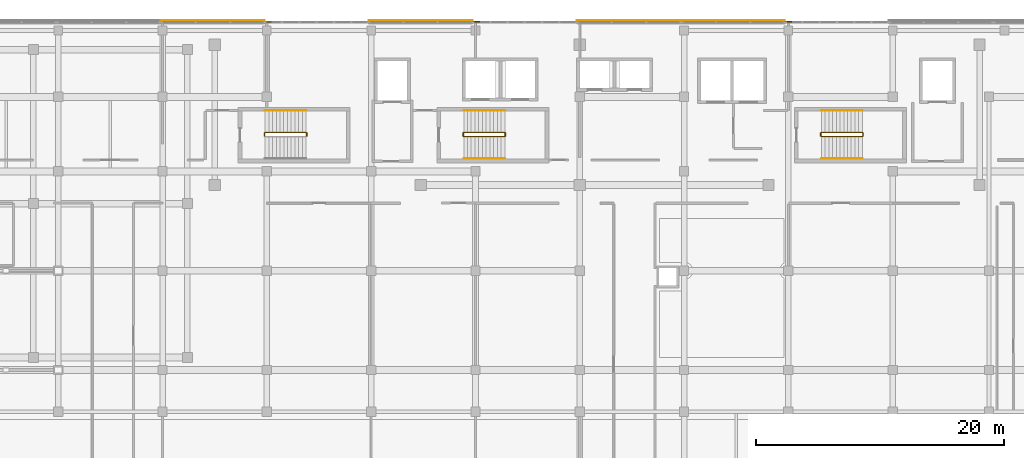
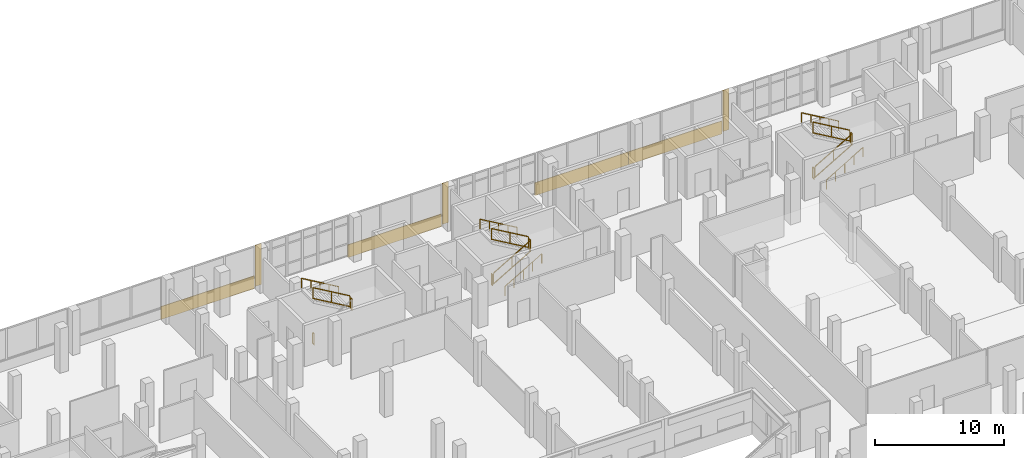
# One storey, part 182 of 184: 16 railings, 7 coverings.
"""IFC4 building model written with IfcOpenShell, lengths in metres."""

from ifc_helpers import new_model, si_unit, direction, frame, origin, origin_2d, place, context, subcontext, project, spatial, rectangle, circle, extrude, material, layer, layer_set, type_object, element, save


model = new_model("IFC4")

# Units and contexts
model_context = context("Model", 3, precision=1e-05, world=origin(), true_north=direction((0.0, 1.0)))
body_context = subcontext(model_context, "Body", "Model", "MODEL_VIEW")
ifc_project = project(units=[si_unit("LENGTHUNIT", "METRE"), si_unit("AREAUNIT", "SQUARE_METRE"), si_unit("VOLUMEUNIT", "CUBIC_METRE"), si_unit("PLANEANGLEUNIT", "RADIAN"), si_unit("MASSUNIT", "GRAM", prefix="KILO")], contexts=[model_context])

# Site, building, storey
site_placement = place(None, origin())
site = spatial("IfcSite", under=ifc_project, at=site_placement, CompositionType="ELEMENT")
building_placement = place(site_placement, origin())
building = spatial("IfcBuilding", under=site, at=building_placement, Name="Selatvlak General Hospital", CompositionType="ELEMENT")
storey_placement = place(building_placement, frame((0.0, 0.0, 15.0)))
storey = spatial("IfcBuildingStorey", under=building, at=storey_placement, Name="L03", CompositionType="ELEMENT", Elevation=15.0)

# Coverings
ifc_material_1 = material(Name="White Bauhaus fair-faced cladding panel")
ifc_layer = layer(ifc_material_1, 0.054931640625, Name="White Bauhaus fair-faced cladding panel")
ifc_layer_set = layer_set([ifc_layer], Name="White Bauhaus fair-faced cladding panel")
covering_type = type_object("IfcCoveringType", Name="COV-WHT1", PredefinedType="CLADDING", material=ifc_layer_set)
covering_1_placement = place(storey_placement, frame((85.6298828125, 120.1640625, -0.27978515625), z_axis=(0.0, 0.0, 1.0), x_axis=(1.0, 0.0, 0.0)))
element("IfcCovering", 1, at=covering_1_placement, inside=storey, type_object=covering_type, Name="L03 Bauhaus horizontal white spandrel band 0229", PredefinedType="CLADDING", context=body_context, shape_type="SweptSolid", body=[
    extrude(rectangle(XDim=8.3798828125, YDim=0.054931640625, at=origin_2d()), origin(), (0.0, 0.0, 1.0), 1.219970703125),
])
covering_2_placement = place(storey_placement, frame((90.094970703125, 120.0439453125, -0.00048828125), z_axis=(0.0, 0.0, 1.0), x_axis=(1.0, 0.0, 0.0)))
element("IfcCovering", 2, at=covering_2_placement, inside=storey, type_object=covering_type, Name="L03 Bauhaus vertical core pilaster 0230", PredefinedType="CLADDING", context=body_context, shape_type="SweptSolid", body=[
    extrude(rectangle(XDim=0.550048828125, YDim=0.054931640625, at=origin_2d()), origin(), (0.0, 0.0, 1.0), 3.89501953125),
])
covering_3_placement = place(storey_placement, frame((102.388916015625, 120.1640625, -0.27978515625), z_axis=(0.0, 0.0, 1.0), x_axis=(0.999999992537, 0.000122173047, 0.0)))
element("IfcCovering", 3, at=covering_3_placement, inside=storey, type_object=covering_type, Name="L03 Bauhaus horizontal white spandrel band 0231", PredefinedType="CLADDING", context=body_context, shape_type="SweptSolid", body=[
    extrude(rectangle(XDim=8.37890625, YDim=0.054931640625, at=origin_2d()), origin(), (0.0, 0.0, 1.0), 1.219970703125),
])
covering_4_placement = place(storey_placement, frame((106.85400390625, 120.044921875, -0.00048828125), z_axis=(0.0, 0.0, 1.0), x_axis=(1.0, 0.0, 0.0)))
element("IfcCovering", 4, at=covering_4_placement, inside=storey, type_object=covering_type, Name="L03 Bauhaus vertical core pilaster 0232", PredefinedType="CLADDING", context=body_context, shape_type="SweptSolid", body=[
    extrude(rectangle(XDim=0.550048828125, YDim=0.054931640625, at=origin_2d()), origin(), (0.0, 0.0, 1.0), 3.89501953125),
])
for number, where, z_axis, x_axis, name in (
    (5, (119.14892578125, 120.1650390625, -0.27978515625), (0.0, 0.0, 1.0), (1.0, 0.0, 0.0), "L03 Bauhaus horizontal white spandrel band 0233"),
    (6, (127.529052734375, 120.1650390625, -0.27978515625), (0.0, 0.0, 1.0), (1.0, 0.0, 0.0), "L03 Bauhaus horizontal white spandrel band 0234"),
):
    element("IfcCovering", number, at=place(storey_placement, frame(where, z_axis=z_axis, x_axis=x_axis)), inside=storey, type_object=covering_type, Name=name, PredefinedType="CLADDING", context=body_context, shape_type="SweptSolid", body=[
        extrude(rectangle(XDim=8.3798828125, YDim=0.054931640625, at=origin_2d()), origin(), (0.0, 0.0, 1.0), 1.219970703125),
    ])
covering_5_placement = place(storey_placement, frame((131.993896484375, 120.044921875, -0.00048828125), z_axis=(0.0, 0.0, 1.0), x_axis=(1.0, 0.0, 0.0)))
element("IfcCovering", 7, at=covering_5_placement, inside=storey, type_object=covering_type, Name="L03 Bauhaus vertical core pilaster 0235", PredefinedType="CLADDING", context=body_context, shape_type="SweptSolid", body=[
    extrude(rectangle(XDim=0.550048828125, YDim=0.054931640625, at=origin_2d()), origin(), (0.0, 0.0, 1.0), 3.89501953125),
])

# Railings
ifc_material_2 = material(Name="Stainless steel 316 stair guard", Category="steel")
railing_type_1 = type_object("IfcRailingType", Name="RAIL-STG", PredefinedType="GUARDRAIL", material=ifc_material_2)
railing_1_placement = place(storey_placement, frame((93.2099609375, 110.860107421875, 2.10009765625)))
element("IfcRailing", 8, at=railing_1_placement, inside=storey, type_object=railing_type_1, Name="L03 ST-02 stair guard 2", PredefinedType="GUARDRAIL", context=body_context, shape_type="SweptSolid", body=[
    extrude(rectangle(XDim=0.068115234375, YDim=0.068115234375, at=origin_2d()), frame((0.0, 0.0029296875, 1.06591796875), z_axis=(0.0, 1.0, 0.0), x_axis=(-1.0, 0.0, 0.0)), (0.0, 0.0, 1.0), 0.214111328125),
    extrude(rectangle(XDim=0.068115234375, YDim=0.068115234375, at=origin_2d()), frame((0.0, 0.0029296875, 0.049072265625), z_axis=(0.0, 1.0, 0.0), x_axis=(-1.0, 0.0, 0.0)), (0.0, 0.0, 1.0), 0.214111328125),
    extrude(rectangle(XDim=0.055908203125, YDim=0.055908203125, at=origin_2d()), origin(), (0.0, 0.0, 1.0), 1.029052734375),
    extrude(rectangle(XDim=0.055908203125, YDim=0.055908203125, at=origin_2d()), frame((0.0, 0.219970703125, 0.0)), (0.0, 0.0, 1.0), 1.029052734375),
])
railing_2_placement = place(storey_placement, frame((93.159912109375, 111.1298828125, 2.27490234375)))
element("IfcRailing", 9, at=railing_2_placement, inside=storey, type_object=railing_type_1, Name="L03 ST-02 stair guard 3", PredefinedType="GUARDRAIL", context=body_context, shape_type="SweptSolid", body=[
    extrude(rectangle(XDim=0.068115234375, YDim=0.068115234375, at=origin_2d()), frame((-0.00244140625, 0.0, 1.067626953125), z_axis=(-0.863760357493, 0.0, 0.503902812876), x_axis=(0.0, -1.0, 0.0)), (0.0, 0.0, 1.0), 3.814453125),
    extrude(rectangle(XDim=0.068115234375, YDim=0.068115234375, at=origin_2d()), frame((-0.00244140625, 0.0, 0.050537109375), z_axis=(-0.863760357493, 0.0, 0.503902812876), x_axis=(0.0, -1.0, 0.0)), (0.0, 0.0, 1.0), 3.814453125),
    extrude(rectangle(XDim=0.055908203125, YDim=0.055908203125, at=origin_2d()), origin(), (0.0, 0.0, 1.0), 1.029052734375),
    extrude(rectangle(XDim=0.055908203125, YDim=0.055908203125, at=origin_2d()), frame((-1.64990234375, 0.0, 0.96240234375)), (0.0, 0.0, 1.0), 1.029052734375),
    extrude(rectangle(XDim=0.055908203125, YDim=0.055908203125, at=origin_2d()), frame((-3.2998046875, 0.0, 1.925048828125)), (0.0, 0.0, 1.0), 1.029052734375),
])
railing_3_placement = place(storey_placement, frame((89.81005859375, 110.860107421875, 0.0)))
element("IfcRailing", 10, at=railing_3_placement, inside=storey, type_object=railing_type_1, Name="L03 ST-02 stair guard 4", PredefinedType="GUARDRAIL", context=body_context, shape_type="SweptSolid", body=[
    extrude(rectangle(XDim=0.068115234375, YDim=0.068115234375, at=origin_2d()), frame((0.0, 0.0029296875, 1.06591796875), z_axis=(0.0, 1.0, 0.0), x_axis=(-1.0, 0.0, 0.0)), (0.0, 0.0, 1.0), 0.214111328125),
    extrude(rectangle(XDim=0.068115234375, YDim=0.068115234375, at=origin_2d()), frame((0.0, 0.0029296875, 0.049072265625), z_axis=(0.0, 1.0, 0.0), x_axis=(-1.0, 0.0, 0.0)), (0.0, 0.0, 1.0), 0.214111328125),
    extrude(rectangle(XDim=0.055908203125, YDim=0.055908203125, at=origin_2d()), origin(), (0.0, 0.0, 1.0), 1.029052734375),
    extrude(rectangle(XDim=0.055908203125, YDim=0.055908203125, at=origin_2d()), frame((0.0, 0.219970703125, 0.0)), (0.0, 0.0, 1.0), 1.029052734375),
])
railing_4_placement = place(storey_placement, frame((105.860107421875, 110.81005859375, 0.175048828125)))
element("IfcRailing", 11, at=railing_4_placement, inside=storey, type_object=railing_type_1, Name="L03 ST-03 stair guard 1", PredefinedType="GUARDRAIL", context=body_context, shape_type="SweptSolid", body=[
    extrude(rectangle(XDim=0.068115234375, YDim=0.068115234375, at=origin_2d()), frame((0.00244140625, 0.0, 1.067626953125), z_axis=(0.863760357493, 0.0, 0.503902812876), x_axis=(0.0, 1.0, 0.0)), (0.0, 0.0, 1.0), 3.814453125),
    extrude(rectangle(XDim=0.068115234375, YDim=0.068115234375, at=origin_2d()), frame((0.00244140625, 0.0, 0.050537109375), z_axis=(0.863760357493, 0.0, 0.503902812876), x_axis=(0.0, 1.0, 0.0)), (0.0, 0.0, 1.0), 3.814453125),
    extrude(rectangle(XDim=0.055908203125, YDim=0.055908203125, at=origin_2d()), origin(), (0.0, 0.0, 1.0), 1.029052734375),
    extrude(rectangle(XDim=0.055908203125, YDim=0.055908203125, at=origin_2d()), frame((1.64990234375, 0.0, 0.96240234375)), (0.0, 0.0, 1.0), 1.029052734375),
    extrude(rectangle(XDim=0.055908203125, YDim=0.055908203125, at=origin_2d()), frame((3.2998046875, 0.0, 1.925048828125)), (0.0, 0.0, 1.0), 1.029052734375),
])
railing_5_placement = place(storey_placement, frame((109.2099609375, 110.860107421875, 2.10009765625)))
element("IfcRailing", 12, at=railing_5_placement, inside=storey, type_object=railing_type_1, Name="L03 ST-03 stair guard 2", PredefinedType="GUARDRAIL", context=body_context, shape_type="SweptSolid", body=[
    extrude(rectangle(XDim=0.068115234375, YDim=0.068115234375, at=origin_2d()), frame((0.0, 0.0029296875, 1.06591796875), z_axis=(0.0, 1.0, 0.0), x_axis=(-1.0, 0.0, 0.0)), (0.0, 0.0, 1.0), 0.214111328125),
    extrude(rectangle(XDim=0.068115234375, YDim=0.068115234375, at=origin_2d()), frame((0.0, 0.0029296875, 0.049072265625), z_axis=(0.0, 1.0, 0.0), x_axis=(-1.0, 0.0, 0.0)), (0.0, 0.0, 1.0), 0.214111328125),
    extrude(rectangle(XDim=0.055908203125, YDim=0.055908203125, at=origin_2d()), origin(), (0.0, 0.0, 1.0), 1.029052734375),
    extrude(rectangle(XDim=0.055908203125, YDim=0.055908203125, at=origin_2d()), frame((0.0, 0.219970703125, 0.0)), (0.0, 0.0, 1.0), 1.029052734375),
])
railing_6_placement = place(storey_placement, frame((109.159912109375, 111.1298828125, 2.27490234375)))
element("IfcRailing", 13, at=railing_6_placement, inside=storey, type_object=railing_type_1, Name="L03 ST-03 stair guard 3", PredefinedType="GUARDRAIL", context=body_context, shape_type="SweptSolid", body=[
    extrude(rectangle(XDim=0.068115234375, YDim=0.068115234375, at=origin_2d()), frame((-0.00244140625, 0.0, 1.067626953125), z_axis=(-0.863760357493, 0.0, 0.503902812876), x_axis=(0.0, -1.0, 0.0)), (0.0, 0.0, 1.0), 3.814453125),
    extrude(rectangle(XDim=0.068115234375, YDim=0.068115234375, at=origin_2d()), frame((-0.00244140625, 0.0, 0.050537109375), z_axis=(-0.863760357493, 0.0, 0.503902812876), x_axis=(0.0, -1.0, 0.0)), (0.0, 0.0, 1.0), 3.814453125),
    extrude(rectangle(XDim=0.055908203125, YDim=0.055908203125, at=origin_2d()), origin(), (0.0, 0.0, 1.0), 1.029052734375),
    extrude(rectangle(XDim=0.055908203125, YDim=0.055908203125, at=origin_2d()), frame((-1.64990234375, 0.0, 0.96240234375)), (0.0, 0.0, 1.0), 1.029052734375),
    extrude(rectangle(XDim=0.055908203125, YDim=0.055908203125, at=origin_2d()), frame((-3.2998046875, 0.0, 1.925048828125)), (0.0, 0.0, 1.0), 1.029052734375),
])
railing_7_placement = place(storey_placement, frame((105.81005859375, 110.860107421875, 0.0)))
element("IfcRailing", 14, at=railing_7_placement, inside=storey, type_object=railing_type_1, Name="L03 ST-03 stair guard 4", PredefinedType="GUARDRAIL", context=body_context, shape_type="SweptSolid", body=[
    extrude(rectangle(XDim=0.068115234375, YDim=0.068115234375, at=origin_2d()), frame((0.0, 0.0029296875, 1.06591796875), z_axis=(0.0, 1.0, 0.0), x_axis=(-1.0, 0.0, 0.0)), (0.0, 0.0, 1.0), 0.214111328125),
    extrude(rectangle(XDim=0.068115234375, YDim=0.068115234375, at=origin_2d()), frame((0.0, 0.0029296875, 0.049072265625), z_axis=(0.0, 1.0, 0.0), x_axis=(-1.0, 0.0, 0.0)), (0.0, 0.0, 1.0), 0.214111328125),
    extrude(rectangle(XDim=0.055908203125, YDim=0.055908203125, at=origin_2d()), origin(), (0.0, 0.0, 1.0), 1.029052734375),
    extrude(rectangle(XDim=0.055908203125, YDim=0.055908203125, at=origin_2d()), frame((0.0, 0.219970703125, 0.0)), (0.0, 0.0, 1.0), 1.029052734375),
])
railing_8_placement = place(storey_placement, frame((134.659912109375, 110.81005859375, 0.175048828125)))
element("IfcRailing", 15, at=railing_8_placement, inside=storey, type_object=railing_type_1, Name="L03 ST-04 stair guard 1", PredefinedType="GUARDRAIL", context=body_context, shape_type="SweptSolid", body=[
    extrude(rectangle(XDim=0.068115234375, YDim=0.068115234375, at=origin_2d()), frame((0.00244140625, 0.0, 1.067626953125), z_axis=(0.863776583165, 0.0, 0.503874998761), x_axis=(0.0, 1.0, 0.0)), (0.0, 0.0, 1.0), 3.814697265625),
    extrude(rectangle(XDim=0.068115234375, YDim=0.068115234375, at=origin_2d()), frame((0.00244140625, 0.0, 0.050537109375), z_axis=(0.863776583165, 0.0, 0.503874998761), x_axis=(0.0, 1.0, 0.0)), (0.0, 0.0, 1.0), 3.814697265625),
    extrude(rectangle(XDim=0.055908203125, YDim=0.055908203125, at=origin_2d()), origin(), (0.0, 0.0, 1.0), 1.029052734375),
    extrude(rectangle(XDim=0.055908203125, YDim=0.055908203125, at=origin_2d()), frame((1.64990234375, 0.0, 0.96240234375)), (0.0, 0.0, 1.0), 1.029052734375),
    extrude(rectangle(XDim=0.055908203125, YDim=0.055908203125, at=origin_2d()), frame((3.300048828125, 0.0, 1.925048828125)), (0.0, 0.0, 1.0), 1.029052734375),
])
railing_9_placement = place(storey_placement, frame((138.010009765625, 110.860107421875, 2.10009765625)))
element("IfcRailing", 16, at=railing_9_placement, inside=storey, type_object=railing_type_1, Name="L03 ST-04 stair guard 2", PredefinedType="GUARDRAIL", context=body_context, shape_type="SweptSolid", body=[
    extrude(rectangle(XDim=0.068115234375, YDim=0.068115234375, at=origin_2d()), frame((0.0, 0.0029296875, 1.06591796875), z_axis=(0.0, 1.0, 0.0), x_axis=(-1.0, 0.0, 0.0)), (0.0, 0.0, 1.0), 0.214111328125),
    extrude(rectangle(XDim=0.068115234375, YDim=0.068115234375, at=origin_2d()), frame((0.0, 0.0029296875, 0.049072265625), z_axis=(0.0, 1.0, 0.0), x_axis=(-1.0, 0.0, 0.0)), (0.0, 0.0, 1.0), 0.214111328125),
    extrude(rectangle(XDim=0.055908203125, YDim=0.055908203125, at=origin_2d()), origin(), (0.0, 0.0, 1.0), 1.029052734375),
    extrude(rectangle(XDim=0.055908203125, YDim=0.055908203125, at=origin_2d()), frame((0.0, 0.219970703125, 0.0)), (0.0, 0.0, 1.0), 1.029052734375),
])
railing_10_placement = place(storey_placement, frame((137.9599609375, 111.1298828125, 2.27490234375)))
element("IfcRailing", 17, at=railing_10_placement, inside=storey, type_object=railing_type_1, Name="L03 ST-04 stair guard 3", PredefinedType="GUARDRAIL", context=body_context, shape_type="SweptSolid", body=[
    extrude(rectangle(XDim=0.068115234375, YDim=0.068115234375, at=origin_2d()), frame((-0.00244140625, 0.0, 1.067626953125), z_axis=(-0.863776583165, 0.0, 0.503874998761), x_axis=(0.0, -1.0, 0.0)), (0.0, 0.0, 1.0), 3.814697265625),
    extrude(rectangle(XDim=0.068115234375, YDim=0.068115234375, at=origin_2d()), frame((-0.00244140625, 0.0, 0.050537109375), z_axis=(-0.863776583165, 0.0, 0.503874998761), x_axis=(0.0, -1.0, 0.0)), (0.0, 0.0, 1.0), 3.814697265625),
    extrude(rectangle(XDim=0.055908203125, YDim=0.055908203125, at=origin_2d()), origin(), (0.0, 0.0, 1.0), 1.029052734375),
    extrude(rectangle(XDim=0.055908203125, YDim=0.055908203125, at=origin_2d()), frame((-1.64990234375, 0.0, 0.96240234375)), (0.0, 0.0, 1.0), 1.029052734375),
    extrude(rectangle(XDim=0.055908203125, YDim=0.055908203125, at=origin_2d()), frame((-3.300048828125, 0.0, 1.925048828125)), (0.0, 0.0, 1.0), 1.029052734375),
])
railing_11_placement = place(storey_placement, frame((134.610107421875, 110.860107421875, 0.0)))
element("IfcRailing", 18, at=railing_11_placement, inside=storey, type_object=railing_type_1, Name="L03 ST-04 stair guard 4", PredefinedType="GUARDRAIL", context=body_context, shape_type="SweptSolid", body=[
    extrude(rectangle(XDim=0.068115234375, YDim=0.068115234375, at=origin_2d()), frame((0.0, 0.0029296875, 1.06591796875), z_axis=(0.0, 1.0, 0.0), x_axis=(-1.0, 0.0, 0.0)), (0.0, 0.0, 1.0), 0.214111328125),
    extrude(rectangle(XDim=0.068115234375, YDim=0.068115234375, at=origin_2d()), frame((0.0, 0.0029296875, 0.049072265625), z_axis=(0.0, 1.0, 0.0), x_axis=(-1.0, 0.0, 0.0)), (0.0, 0.0, 1.0), 0.214111328125),
    extrude(rectangle(XDim=0.055908203125, YDim=0.055908203125, at=origin_2d()), origin(), (0.0, 0.0, 1.0), 1.029052734375),
    extrude(rectangle(XDim=0.055908203125, YDim=0.055908203125, at=origin_2d()), frame((0.0, 0.219970703125, 0.0)), (0.0, 0.0, 1.0), 1.029052734375),
])
ifc_material_3 = material(Name="Stainless steel 316 handrail", Category="steel")
railing_type_2 = type_object("IfcRailingType", Name="RAIL-STH", PredefinedType="HANDRAIL", material=ifc_material_3)
railing_12_placement = place(storey_placement, frame((93.159912109375, 112.889892578125, 2.27490234375)))
element("IfcRailing", 19, at=railing_12_placement, inside=storey, type_object=railing_type_2, Name="L03 ST-02 stair handrail 2", PredefinedType="HANDRAIL", context=body_context, shape_type="SweptSolid", body=[
    extrude(circle(Radius=0.02392578125, at=origin_2d()), frame((-0.00244140625, 0.0, 0.87744140625), z_axis=(-0.863760357493, 0.0, 0.503902812876), x_axis=(0.0, -1.0, 0.0)), (0.0, 0.0, 1.0), 3.814453125),
    extrude(circle(Radius=0.02099609375, at=origin_2d()), origin(), (0.0, 0.0, 1.0), 0.848876953125),
    extrude(circle(Radius=0.02099609375, at=origin_2d()), frame((-0.824951171875, 0.0, 0.481201171875)), (0.0, 0.0, 1.0), 0.848876953125),
    extrude(circle(Radius=0.02099609375, at=origin_2d()), frame((-1.64990234375, 0.0, 0.96240234375)), (0.0, 0.0, 1.0), 0.848876953125),
    extrude(circle(Radius=0.02099609375, at=origin_2d()), frame((-2.474853515625, 0.0, 1.44384765625)), (0.0, 0.0, 1.0), 0.848876953125),
    extrude(circle(Radius=0.02099609375, at=origin_2d()), frame((-3.2998046875, 0.0, 1.925048828125)), (0.0, 0.0, 1.0), 0.848876953125),
])
railing_13_placement = place(storey_placement, frame((105.860107421875, 109.050048828125, 0.175048828125)))
element("IfcRailing", 20, at=railing_13_placement, inside=storey, type_object=railing_type_2, Name="L03 ST-03 stair handrail 1", PredefinedType="HANDRAIL", context=body_context, shape_type="SweptSolid", body=[
    extrude(circle(Radius=0.02392578125, at=origin_2d()), frame((0.00244140625, 0.0, 0.87744140625), z_axis=(0.863760357493, 0.0, 0.503902812876), x_axis=(0.0, 1.0, 0.0)), (0.0, 0.0, 1.0), 3.814453125),
    extrude(circle(Radius=0.02099609375, at=origin_2d()), origin(), (0.0, 0.0, 1.0), 0.848876953125),
    extrude(circle(Radius=0.02099609375, at=origin_2d()), frame((0.824951171875, 0.0, 0.481201171875)), (0.0, 0.0, 1.0), 0.848876953125),
    extrude(circle(Radius=0.02099609375, at=origin_2d()), frame((1.64990234375, 0.0, 0.96240234375)), (0.0, 0.0, 1.0), 0.848876953125),
    extrude(circle(Radius=0.02099609375, at=origin_2d()), frame((2.474853515625, 0.0, 1.44384765625)), (0.0, 0.0, 1.0), 0.848876953125),
    extrude(circle(Radius=0.02099609375, at=origin_2d()), frame((3.2998046875, 0.0, 1.925048828125)), (0.0, 0.0, 1.0), 0.848876953125),
])
railing_14_placement = place(storey_placement, frame((109.159912109375, 112.889892578125, 2.27490234375)))
element("IfcRailing", 21, at=railing_14_placement, inside=storey, type_object=railing_type_2, Name="L03 ST-03 stair handrail 2", PredefinedType="HANDRAIL", context=body_context, shape_type="SweptSolid", body=[
    extrude(circle(Radius=0.02392578125, at=origin_2d()), frame((-0.00244140625, 0.0, 0.87744140625), z_axis=(-0.863760357493, 0.0, 0.503902812876), x_axis=(0.0, -1.0, 0.0)), (0.0, 0.0, 1.0), 3.814453125),
    extrude(circle(Radius=0.02099609375, at=origin_2d()), origin(), (0.0, 0.0, 1.0), 0.848876953125),
    extrude(circle(Radius=0.02099609375, at=origin_2d()), frame((-0.824951171875, 0.0, 0.481201171875)), (0.0, 0.0, 1.0), 0.848876953125),
    extrude(circle(Radius=0.02099609375, at=origin_2d()), frame((-1.64990234375, 0.0, 0.96240234375)), (0.0, 0.0, 1.0), 0.848876953125),
    extrude(circle(Radius=0.02099609375, at=origin_2d()), frame((-2.474853515625, 0.0, 1.44384765625)), (0.0, 0.0, 1.0), 0.848876953125),
    extrude(circle(Radius=0.02099609375, at=origin_2d()), frame((-3.2998046875, 0.0, 1.925048828125)), (0.0, 0.0, 1.0), 0.848876953125),
])
railing_15_placement = place(storey_placement, frame((134.659912109375, 109.050048828125, 0.175048828125)))
element("IfcRailing", 22, at=railing_15_placement, inside=storey, type_object=railing_type_2, Name="L03 ST-04 stair handrail 1", PredefinedType="HANDRAIL", context=body_context, shape_type="SweptSolid", body=[
    extrude(circle(Radius=0.02392578125, at=origin_2d()), frame((0.00244140625, 0.0, 0.87744140625), z_axis=(0.863776583165, 0.0, 0.503874998761), x_axis=(0.0, 1.0, 0.0)), (0.0, 0.0, 1.0), 3.814697265625),
    extrude(circle(Radius=0.02099609375, at=origin_2d()), origin(), (0.0, 0.0, 1.0), 0.848876953125),
    extrude(circle(Radius=0.02099609375, at=origin_2d()), frame((0.824951171875, 0.0, 0.481201171875)), (0.0, 0.0, 1.0), 0.848876953125),
    extrude(circle(Radius=0.02099609375, at=origin_2d()), frame((1.64990234375, 0.0, 0.96240234375)), (0.0, 0.0, 1.0), 0.848876953125),
    extrude(circle(Radius=0.02099609375, at=origin_2d()), frame((2.47509765625, 0.0, 1.44384765625)), (0.0, 0.0, 1.0), 0.848876953125),
    extrude(circle(Radius=0.02099609375, at=origin_2d()), frame((3.300048828125, 0.0, 1.925048828125)), (0.0, 0.0, 1.0), 0.848876953125),
])
railing_16_placement = place(storey_placement, frame((137.9599609375, 112.889892578125, 2.27490234375)))
element("IfcRailing", 23, at=railing_16_placement, inside=storey, type_object=railing_type_2, Name="L03 ST-04 stair handrail 2", PredefinedType="HANDRAIL", context=body_context, shape_type="SweptSolid", body=[
    extrude(circle(Radius=0.02392578125, at=origin_2d()), frame((-0.00244140625, 0.0, 0.87744140625), z_axis=(-0.863776583165, 0.0, 0.503874998761), x_axis=(0.0, -1.0, 0.0)), (0.0, 0.0, 1.0), 3.814697265625),
    extrude(circle(Radius=0.02099609375, at=origin_2d()), origin(), (0.0, 0.0, 1.0), 0.848876953125),
    extrude(circle(Radius=0.02099609375, at=origin_2d()), frame((-0.824951171875, 0.0, 0.481201171875)), (0.0, 0.0, 1.0), 0.848876953125),
    extrude(circle(Radius=0.02099609375, at=origin_2d()), frame((-1.64990234375, 0.0, 0.96240234375)), (0.0, 0.0, 1.0), 0.848876953125),
    extrude(circle(Radius=0.02099609375, at=origin_2d()), frame((-2.47509765625, 0.0, 1.44384765625)), (0.0, 0.0, 1.0), 0.848876953125),
    extrude(circle(Radius=0.02099609375, at=origin_2d()), frame((-3.300048828125, 0.0, 1.925048828125)), (0.0, 0.0, 1.0), 0.848876953125),
])

save(model, "model.ifc")
